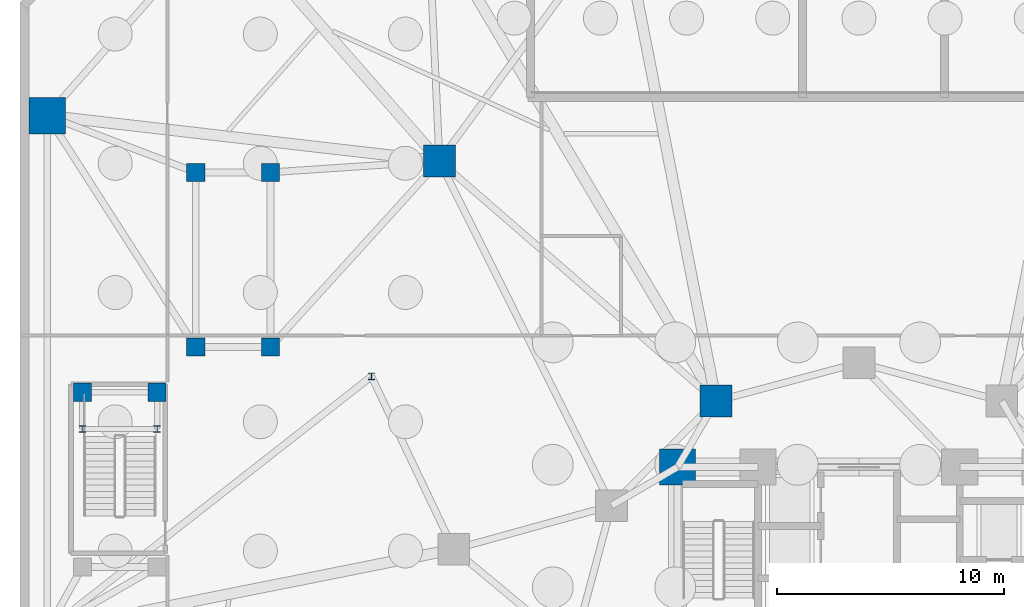
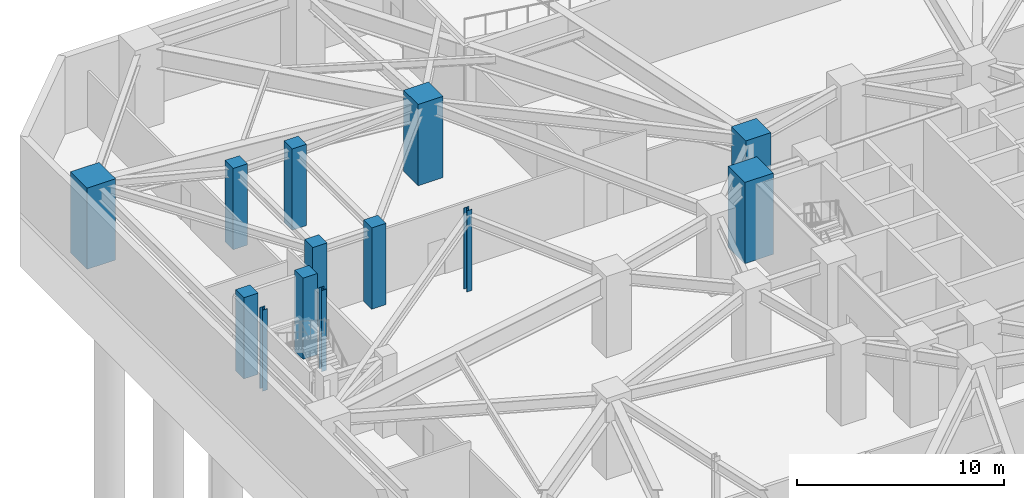
# One storey, part 5 of 20: 13 columns.
"""IFC4 building model written with IfcOpenShell, lengths in metres."""

import ifcopenshell
import ifcopenshell.guid

model = None  # the IFC model being written
_history = None  # IfcOwnerHistory: only IFC2X3 demands one
_inside = {}  # id of a spatial element -> (the spatial element, [elements in it])
_under = {}  # id of a project, library or spatial element -> (it, [spatial elements below it])
_declared = {}  # id of a project -> (the project, [libraries it declares])
_typed = {}  # id of a type object -> (the type object, [elements of that type])
_made_of = {}  # id of a material, layer set ... -> (it, [elements and type objects made of it])


def new_model(schema):
    """Start an empty IFC model of exactly this schema.

    Asked for "IFC4X3", IfcOpenShell would pick the latest addendum, in which some entities
    have other attributes; the version numbers below select the first issue.
    IFC2X3 requires an IfcOwnerHistory on every rooted entity: one is made here for all.
    """
    global model, _history
    if schema == "IFC4X3":
        model = ifcopenshell.file(schema_version=(4, 3, 0, 0))
    else:
        model = ifcopenshell.file(schema=schema)
    _inside.clear()
    _under.clear()
    _declared.clear()
    _typed.clear()
    _made_of.clear()
    _history = None
    if model.schema == "IFC2X3":
        org = make("IfcOrganization", Name="unknown")
        user = make(
            "IfcPersonAndOrganization",
            ThePerson=make("IfcPerson", FamilyName="unknown"),
            TheOrganization=org,
        )
        app = make(
            "IfcApplication",
            ApplicationDeveloper=org,
            Version="unknown",
            ApplicationFullName="unknown",
            ApplicationIdentifier="unknown",
        )
        _history = make(
            "IfcOwnerHistory",
            OwningUser=user,
            OwningApplication=app,
            ChangeAction="ADDED",
            CreationDate=0,
        )
    return model


def make(cls, **values):
    """One entity of the class cls with the attributes given. An attribute that is None is left unset."""
    return model.create_entity(
        cls, **{name: value for name, value in values.items() if value is not None}
    )


def rooted(cls, **values):
    """An entity with a GlobalId (a new one), such as an element, a storey or a relation."""
    return make(cls, GlobalId=ifcopenshell.guid.new(), OwnerHistory=_history, **values)


def si_unit(unit_type, name, prefix=None):
    """IfcSIUnit, for example si_unit("LENGTHUNIT", "METRE", prefix="MILLI")."""
    return make("IfcSIUnit", UnitType=unit_type, Prefix=prefix, Name=name)


def assignment(units):
    """IfcUnitAssignment: the units of a project."""
    return None if units is None else make("IfcUnitAssignment", Units=units)


def point(xyz):
    """IfcCartesianPoint."""
    return None if xyz is None else make("IfcCartesianPoint", Coordinates=xyz)


def direction(xyz):
    """IfcDirection."""
    return None if xyz is None else make("IfcDirection", DirectionRatios=xyz)


def frame(location, z_axis=None, x_axis=None):
    """IfcAxis2Placement3D, a coordinate frame: its origin and axes. An axis left out is left unset."""
    return make(
        "IfcAxis2Placement3D",
        Location=point(location),
        Axis=direction(z_axis),
        RefDirection=direction(x_axis),
    )


def frame_2d(location, x_axis=None):
    """IfcAxis2Placement2D, a coordinate frame in the plane: its origin and x axis."""
    return make(
        "IfcAxis2Placement2D", Location=point(location), RefDirection=direction(x_axis)
    )


def origin():
    """The frame at (0, 0, 0) with its axes left unset."""
    return frame((0.0, 0.0, 0.0))


def origin_2d():
    """The frame at (0, 0) in the plane with its x axis left unset."""
    return frame_2d((0.0, 0.0))


def place(relative_to, where):
    """IfcLocalPlacement: puts the frame where relative to a parent placement (None: the world)."""
    return make(
        "IfcLocalPlacement", PlacementRelTo=relative_to, RelativePlacement=where
    )


def context(
    kind, dimensions, precision=None, world=None, true_north=None, identifier=None
):
    """IfcGeometricRepresentationContext, for example the 3D "Model" context."""
    return make(
        "IfcGeometricRepresentationContext",
        ContextIdentifier=identifier,
        ContextType=kind,
        CoordinateSpaceDimension=dimensions,
        Precision=precision,
        WorldCoordinateSystem=world,
        TrueNorth=true_north,
    )


def subcontext(parent, identifier, kind, view, scale=None):
    """IfcGeometricRepresentationSubContext, for example "Body" below "Model"."""
    return make(
        "IfcGeometricRepresentationSubContext",
        ContextIdentifier=identifier,
        ContextType=kind,
        ParentContext=parent,
        TargetScale=scale,
        TargetView=view,
    )


def project(units=None, contexts=None):
    """IfcProject with its units and contexts."""
    return rooted(
        "IfcProject",
        Name="project",
        RepresentationContexts=contexts,
        UnitsInContext=assignment(units),
    )


def spatial(cls, under=None, at=None, **own):
    """A site, building, storey or space (cls), placed at a placement, below another one or the project."""
    s = rooted(cls, ObjectPlacement=at, **own)
    if under is not None:
        _under.setdefault(under.id(), (under, []))[1].append(s)
    return s


def profile(cls, at=None, kind="AREA", **sizes):
    """A parametric profile (cls). Its sizes go by their IFC names, for example OverallWidth=200.0."""
    return make(cls, ProfileType=kind, Position=at, **sizes)


def rectangle(**sizes):
    """IfcRectangleProfileDef."""
    return profile("IfcRectangleProfileDef", **sizes)


def i_section(**sizes):
    """IfcIShapeProfileDef."""
    return profile("IfcIShapeProfileDef", **sizes)


def extrude(swept, where, along, depth):
    """IfcExtrudedAreaSolid: the profile swept, set in the frame where, extruded along a direction by depth."""
    return make(
        "IfcExtrudedAreaSolid",
        SweptArea=swept,
        Position=where,
        ExtrudedDirection=direction(along),
        Depth=depth,
    )


def shape(context_of_items, identifier, shape_type, items):
    """IfcShapeRepresentation: the items that make up one representation, for example the "Body"."""
    return make(
        "IfcShapeRepresentation",
        ContextOfItems=context_of_items,
        RepresentationIdentifier=identifier,
        RepresentationType=shape_type,
        Items=items,
    )


def material(Name=None, Category=None):
    """IfcMaterial."""
    return make("IfcMaterial", Name=Name, Category=Category)


def material_profile(
    of_material, cross_section, Name=None, Category=None, Priority=None
):
    """IfcMaterialProfile: a cross section and its material."""
    return make(
        "IfcMaterialProfile",
        Name=Name,
        Material=of_material,
        Profile=cross_section,
        Priority=Priority,
        Category=Category,
    )


def profile_set(profiles, Name=None, composite=None):
    """IfcMaterialProfileSet."""
    return make(
        "IfcMaterialProfileSet",
        Name=Name,
        MaterialProfiles=profiles,
        CompositeProfile=composite,
    )


def made_of(thing, what):
    """Note that an element or type object is made of a material, layer set ...; save() writes the relation."""
    if what is not None:
        _made_of.setdefault(what.id(), (what, []))[1].append(thing)
    return thing


def type_object(cls, material=None, **own):
    """A type object (cls), such as IfcWallType, which elements share."""
    return made_of(rooted(cls, **own), material)


def element(
    cls,
    number,
    at=None,
    inside=None,
    cuts=None,
    type_object=None,
    material=None,
    context=None,
    identifier="Body",
    shape_type=None,
    held_by="IfcProductDefinitionShape",
    body=None,
    shapes=None,
    **own,
):
    """One element of the class cls, such as IfcWall. Its Tag is "e" and its number.

    at: its placement. inside: the storey or other place that contains it. cuts: it is an
    opening in that element (IfcRelVoidsElement). A single representation is given by context,
    identifier, shape_type and body (its items); several are given by shapes. held_by: the class
    of the entity that holds the representations. save() writes the other relations.
    """
    e = rooted(cls, Tag="e%d" % number, ObjectPlacement=at, **own)
    if body is not None:
        shapes = [shape(context, identifier, shape_type, body)]
    if shapes is not None:
        e.Representation = make(held_by, Representations=shapes)
    if inside is not None:
        _inside.setdefault(inside.id(), (inside, []))[1].append(e)
    if cuts is not None:
        rooted(
            "IfcRelVoidsElement", RelatingBuildingElement=cuts, RelatedOpeningElement=e
        )
    if type_object is not None:
        _typed.setdefault(type_object.id(), (type_object, []))[1].append(e)
    return made_of(e, material)


def aggregate(whole, parts):
    """IfcRelAggregates: a whole, such as a stair, and the parts it consists of."""
    return rooted("IfcRelAggregates", RelatingObject=whole, RelatedObjects=parts)


def save(model, path):
    """Write the relations noted so far, then the file.

    IfcRelAggregates (storeys below a building ...), IfcRelContainedInSpatialStructure (elements
    in a storey), IfcRelDefinesByType, IfcRelAssociatesMaterial and IfcRelDeclares: one each for
    every whole, place, type object, material and project.
    """
    for whole, parts in _under.values():
        aggregate(whole, parts)
    for where, things in _inside.values():
        rooted(
            "IfcRelContainedInSpatialStructure",
            RelatedElements=things,
            RelatingStructure=where,
        )
    for kind, things in _typed.values():
        rooted("IfcRelDefinesByType", RelatedObjects=things, RelatingType=kind)
    for what, things in _made_of.values():
        rooted("IfcRelAssociatesMaterial", RelatedObjects=things, RelatingMaterial=what)
    for by, libraries in _declared.values():
        rooted("IfcRelDeclares", RelatingContext=by, RelatedDefinitions=libraries)
    model.write(path)


model = new_model("IFC4")

# Units and contexts
model_context = context("Model", 3, precision=1e-05, world=origin(), true_north=direction((0.0, 1.0)))
body_context = subcontext(model_context, "Body", "Model", "MODEL_VIEW")
ifc_project = project(units=[si_unit("LENGTHUNIT", "METRE"), si_unit("AREAUNIT", "SQUARE_METRE"), si_unit("VOLUMEUNIT", "CUBIC_METRE"), si_unit("PLANEANGLEUNIT", "RADIAN"), si_unit("MASSUNIT", "GRAM", prefix="KILO")], contexts=[model_context])

# Site, building, storey
site_placement = place(None, origin())
site = spatial("IfcSite", under=ifc_project, at=site_placement, CompositionType="ELEMENT")
building_placement = place(site_placement, origin())
building = spatial("IfcBuilding", under=site, at=building_placement, Name="Terralouvre Media Tower", CompositionType="ELEMENT")
storey_placement = place(building_placement, frame((0.0, 0.0, -9.60009765625)))
storey = spatial("IfcBuildingStorey", under=building, at=storey_placement, Name="B02", CompositionType="ELEMENT", Elevation=-9.60009765625)

# Columns
ifc_material_1 = material(Name="Structural steel S355J2", Category="steel")
ifc_material_profile_1 = material_profile(ifc_material_1, i_section(OverallWidth=0.280029296875, OverallDepth=0.280029296875, WebThickness=0.010498046875, FlangeThickness=0.01806640625, at=origin_2d()), Name="HEB 280")
ifc_profile_set_1 = profile_set([ifc_material_profile_1], Name="Structural steel S355J2")
column_type_1 = type_object("IfcColumnType", Name="Basement Aisle Pilaster PL-HEB280 (HEB 280)", PredefinedType="PILASTER", material=ifc_profile_set_1)
for number, where, z_axis, x_axis, name in (
    (1, (-34.25, 9.679931640625, 0.0), (0.0, 0.0, 1.0), (1.0, 0.0, 0.0), "B02 Stair Half-Landing Post ST3CLP1"),
    (2, (-30.949951171875, 9.679931640625, 0.0), (0.0, 0.0, 1.0), (1.0, 0.0, 0.0), "B02 Stair Half-Landing Post ST3CLP2"),
):
    element("IfcColumn", number, at=place(storey_placement, frame(where, z_axis=z_axis, x_axis=x_axis)), inside=storey, type_object=column_type_1, Name=name, PredefinedType="PILASTER", context=body_context, shape_type="SweptSolid", body=[
        extrude(i_section(OverallWidth=0.280029296875, OverallDepth=0.280029296875, WebThickness=0.010498046875, FlangeThickness=0.01806640625, at=origin_2d()), origin(), (0.0, 0.0, 1.0), 4.800048828125),
    ])
ifc_material_2 = material(Name="Structural steel S355J2", Category="steel")
ifc_material_profile_2 = material_profile(ifc_material_2, i_section(OverallWidth=0.300048828125, OverallDepth=0.300048828125, WebThickness=0.010986328125, FlangeThickness=0.01904296875, at=origin_2d()), Name="HEB 300")
ifc_profile_set_2 = profile_set([ifc_material_profile_2], Name="Structural steel S355J2")
column_type_2 = type_object("IfcColumnType", Name="Basement Aisle Pilaster PL-HEB300 (HEB 300)", PredefinedType="PILASTER", material=ifc_profile_set_2)
column_placement = place(storey_placement, frame((-21.5, 12.0, 0.0), z_axis=(0.0, 0.0, 1.0), x_axis=(1.0, 0.0, 0.0)))
element("IfcColumn", 3, at=column_placement, inside=storey, type_object=column_type_2, Name="B02 Car-Park Aisle Pilaster A3", PredefinedType="PILASTER", context=body_context, shape_type="SweptSolid", body=[
    extrude(i_section(OverallWidth=0.300048828125, OverallDepth=0.300048828125, WebThickness=0.010986328125, FlangeThickness=0.01904296875, at=origin_2d()), origin(), (0.0, 0.0, 1.0), 4.800048828125),
])
ifc_material_3 = material(Name="Concrete C60/75", Category="concrete")
ifc_material_profile_3 = material_profile(ifc_material_3, rectangle(XDim=1.39990234375, YDim=1.39990234375, at=origin_2d()), Name="RC 1400x1400")
ifc_profile_set_3 = profile_set([ifc_material_profile_3], Name="Concrete C60/75")
column_type_3 = type_object("IfcColumnType", Name="Structural Column C-RC1400 (RC 1400x1400)", PredefinedType="COLUMN", material=ifc_profile_set_3)
for number, where, z_axis, x_axis, name in (
    (4, (-6.300048828125, 10.911865234375, 0.0), (0.0, 0.0, 1.0), (1.0, 0.0, 0.0), "B02 Mega-Frame Column MC05"),
    (5, (-18.5, 21.5, 0.0), (0.0, 0.0, 1.0), (1.0, 0.0, 0.0), "B02 Podium Transfer Column PM19"),
):
    element("IfcColumn", number, at=place(storey_placement, frame(where, z_axis=z_axis, x_axis=x_axis)), inside=storey, type_object=column_type_3, Name=name, PredefinedType="COLUMN", context=body_context, shape_type="SweptSolid", body=[
        extrude(rectangle(XDim=1.39990234375, YDim=1.39990234375, at=origin_2d()), origin(), (0.0, 0.0, 1.0), 4.800048828125),
    ])
ifc_material_4 = material(Name="Concrete C60/75", Category="concrete")
ifc_material_profile_4 = material_profile(ifc_material_4, rectangle(XDim=1.60009765625, YDim=1.60009765625, at=origin_2d()), Name="RC 1600x1600")
ifc_profile_set_4 = profile_set([ifc_material_profile_4], Name="Concrete C60/75")
column_type_4 = type_object("IfcColumnType", Name="Structural Column C-RC1600 (RC 1600x1600)", PredefinedType="COLUMN", material=ifc_profile_set_4)
for number, where, z_axis, x_axis, name in (
    (6, (-8.0, 8.0, 0.0), (0.0, 0.0, 1.0), (1.0, 0.0, 0.0), "B02 Core Pilaster Column CP7"),
    (7, (-35.800048828125, 23.5, 0.0), (0.0, 0.0, 1.0), (1.0, 0.0, 0.0), "B02 Perimeter Mega-Column PM16"),
):
    element("IfcColumn", number, at=place(storey_placement, frame(where, z_axis=z_axis, x_axis=x_axis)), inside=storey, type_object=column_type_4, Name=name, PredefinedType="COLUMN", context=body_context, shape_type="SweptSolid", body=[
        extrude(rectangle(XDim=1.60009765625, YDim=1.60009765625, at=origin_2d()), origin(), (0.0, 0.0, 1.0), 4.800048828125),
    ])
ifc_material_5 = material(Name="Concrete C50/60", Category="concrete")
ifc_material_profile_5 = material_profile(ifc_material_5, rectangle(XDim=0.800048828125, YDim=0.800048828125, at=origin_2d()), Name="RC 800x800")
ifc_profile_set_5 = profile_set([ifc_material_profile_5], Name="Concrete C50/60")
column_type_5 = type_object("IfcColumnType", Name="Structural Column C-RC800 (RC 800x800)", PredefinedType="COLUMN", material=ifc_profile_set_5)
for number, where, z_axis, x_axis, name in (
    (8, (-30.949951171875, 11.300048828125, 0.0), (0.0, 0.0, 1.0), (1.0, 0.0, 0.0), "B02 Stair Pavilion Support Column ST3C3"),
    (9, (-34.25, 11.300048828125, 0.0), (0.0, 0.0, 1.0), (1.0, 0.0, 0.0), "B02 Stair Pavilion Support Column ST3C4"),
    (10, (-29.25, 13.300048828125, 0.0), (0.0, 0.0, 1.0), (1.0, 0.0, 0.0), "B02 Stair Pavilion Support Column ST6C1"),
    (11, (-25.949951171875, 13.300048828125, 0.0), (0.0, 0.0, 1.0), (1.0, 0.0, 0.0), "B02 Stair Pavilion Support Column ST6C2"),
    (12, (-25.949951171875, 21.0, 0.0), (0.0, 0.0, 1.0), (1.0, 0.0, 0.0), "B02 Stair Pavilion Support Column ST6C3"),
    (13, (-29.25, 21.0, 0.0), (0.0, 0.0, 1.0), (1.0, 0.0, 0.0), "B02 Stair Pavilion Support Column ST6C4"),
):
    element("IfcColumn", number, at=place(storey_placement, frame(where, z_axis=z_axis, x_axis=x_axis)), inside=storey, type_object=column_type_5, Name=name, PredefinedType="COLUMN", context=body_context, shape_type="SweptSolid", body=[
        extrude(rectangle(XDim=0.800048828125, YDim=0.800048828125, at=origin_2d()), origin(), (0.0, 0.0, 1.0), 4.800048828125),
    ])

save(model, "model.ifc")
